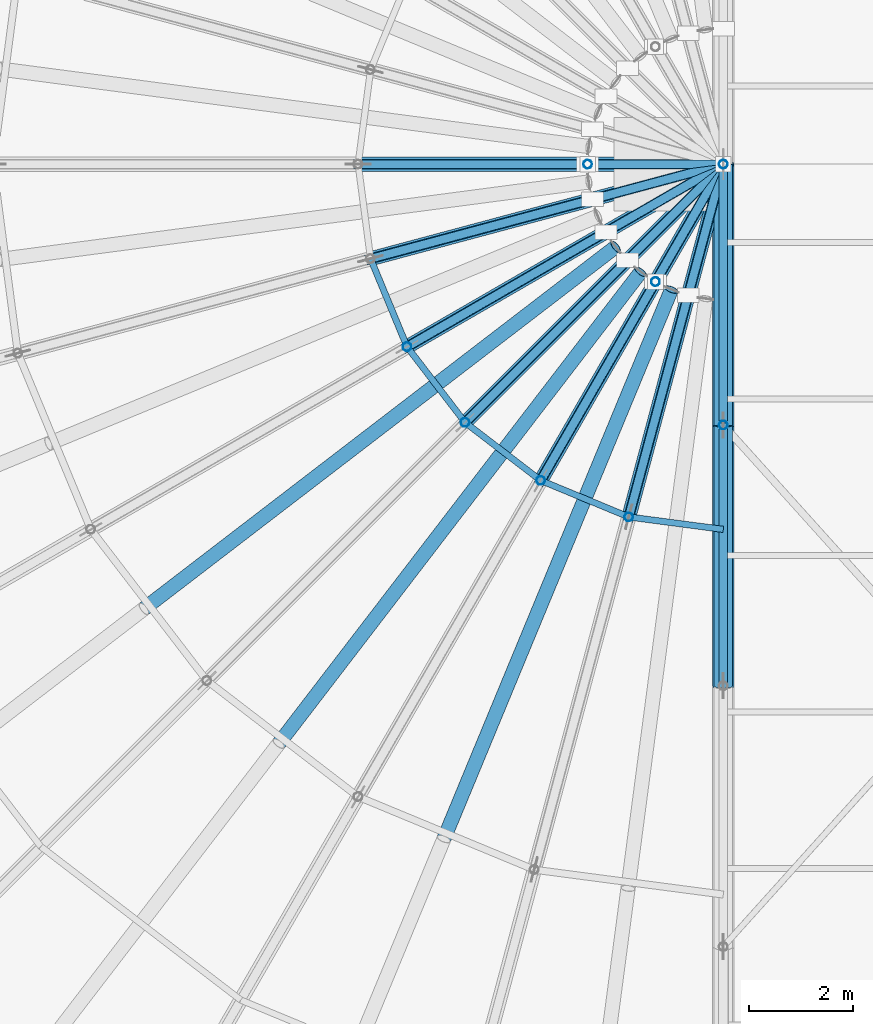
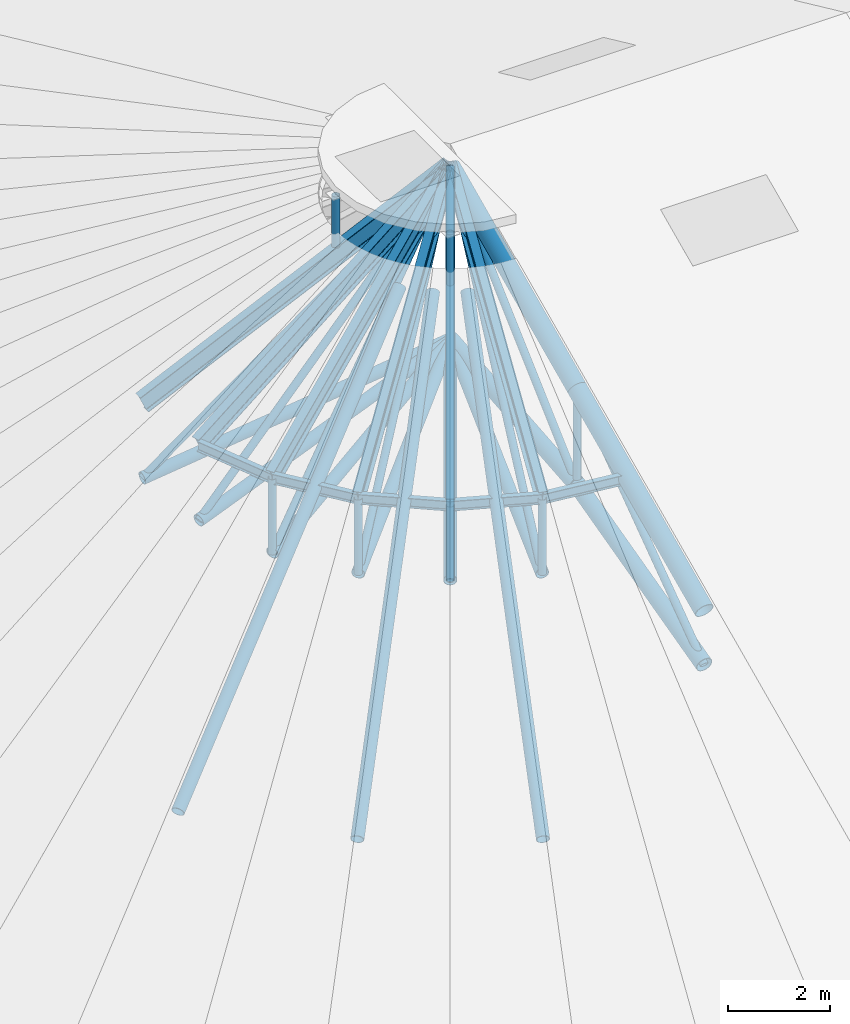
# One storey, part 7 of 107: 40 members.
"""IFC4 building model written with IfcOpenShell, lengths in metres."""

from ifc_helpers import new_model, si_unit, derived_unit, direction, frame, origin, origin_2d, place, context, subcontext, project, spatial, hollow_circle, i_section, extrude, material, material_profile, profile_set, type_object, element, save


model = new_model("IFC4")

# Units and contexts
model_context = context("Model", 3, precision=1e-05, world=origin(), true_north=direction((0.0, 1.0)))
body_context = subcontext(model_context, "Body", "Model", "MODEL_VIEW")
ifc_project = project(units=[si_unit("LENGTHUNIT", "METRE"), si_unit("AREAUNIT", "SQUARE_METRE"), si_unit("VOLUMEUNIT", "CUBIC_METRE"), si_unit("PLANEANGLEUNIT", "RADIAN"), si_unit("MASSUNIT", "GRAM", prefix="KILO"), si_unit("THERMODYNAMICTEMPERATUREUNIT", "KELVIN"), si_unit("TIMEUNIT", "SECOND"), derived_unit("THERMALTRANSMITTANCEUNIT", [(si_unit("MASSUNIT", "GRAM", prefix="KILO"), 1), (si_unit("THERMODYNAMICTEMPERATUREUNIT", "KELVIN"), -1), (si_unit("TIMEUNIT", "SECOND"), -3)])], contexts=[model_context])

# Site, building, storey
site_placement = place(None, origin())
site = spatial("IfcSite", under=ifc_project, at=site_placement, CompositionType="ELEMENT")
building_placement = place(site_placement, origin())
building = spatial("IfcBuilding", under=site, at=building_placement, Name="Cambertide Market Hall", CompositionType="ELEMENT")
storey_placement = place(building_placement, frame((0.0, 0.0, 18.300048828125)))
storey = spatial("IfcBuildingStorey", under=building, at=storey_placement, Name="RF", CompositionType="ELEMENT", Elevation=18.300048828125)

# Members
ifc_material_1 = material(Name="Steel S355", Category="steel")
ifc_material_profile_1 = material_profile(ifc_material_1, hollow_circle(Radius=0.136474609375, WallThickness=0.010009765625, at=origin_2d()), Name="CHS 273x10")
ifc_profile_set_1 = profile_set([ifc_material_profile_1], Name="Steel S355")
member_type_1 = type_object("IfcMemberType", Name="Arched Truss Chord CHS 273x10", PredefinedType="CHORD", material=ifc_profile_set_1)
member_1_placement = place(storey_placement, frame((42.0, 72.0, -4.5), z_axis=(-0.992162458928, 0.0, -0.124954612137), x_axis=(0.0, -1.0, 0.0)))
element("IfcMember", 1, at=member_1_placement, inside=storey, type_object=member_type_1, Name="Half-Cone Radial Arch Chord W-12-1", PredefinedType="CHORD", context=body_context, shape_type="SweptSolid", body=[
    extrude(hollow_circle(Radius=0.136474609375, WallThickness=0.010009765625, at=origin_2d()), origin(), (0.0, 0.0, 1.0), 7.05517578125),
])
for number, where, z_axis, x_axis, name in (
    (2, (42.0, 72.0, -4.5), (-0.958354076456, -0.256795291619, -0.124954561115), (0.258823832372, -0.965924543531, 0.0), "Half-Cone Radial Arch Chord W-14-1"),
    (3, (42.0, 72.0, -4.5), (-0.859240788635, -0.496076515077, -0.124953424661), (0.499995173006, -0.866028190633, 0.0), "Half-Cone Radial Arch Chord W-16-1"),
):
    element("IfcMember", number, at=place(storey_placement, frame(where, z_axis=z_axis, x_axis=x_axis)), inside=storey, type_object=member_type_1, Name=name, PredefinedType="CHORD", context=body_context, shape_type="SweptSolid", body=[
        extrude(hollow_circle(Radius=0.136474609375, WallThickness=0.010009765625, at=origin_2d()), origin(), (0.0, 0.0, 1.0), 7.055419921875),
    ])
member_2_placement = place(storey_placement, frame((42.0, 72.0, -4.5), z_axis=(-0.701564713257, -0.701564713257, -0.124955617025), x_axis=(0.707106781187, -0.707106781187, 0.0)))
element("IfcMember", 4, at=member_2_placement, inside=storey, type_object=member_type_1, Name="Half-Cone Radial Arch Chord W-18-1", PredefinedType="CHORD", context=body_context, shape_type="SweptSolid", body=[
    extrude(hollow_circle(Radius=0.136474609375, WallThickness=0.010009765625, at=origin_2d()), origin(), (0.0, 0.0, 1.0), 7.05517578125),
])
for number, where, z_axis, x_axis, name in (
    (5, (42.0, 72.0, -4.5), (-0.496076515077, -0.859240788635, -0.124953424661), (0.866028190633, -0.499995173006, 0.0), "Half-Cone Radial Arch Chord W-20-1"),
    (6, (42.0, 72.0, -4.5), (-0.256795291619, -0.958354076456, -0.124954561115), (0.965924543531, -0.258823832372, 0.0), "Half-Cone Radial Arch Chord W-22-1"),
):
    element("IfcMember", number, at=place(storey_placement, frame(where, z_axis=z_axis, x_axis=x_axis)), inside=storey, type_object=member_type_1, Name=name, PredefinedType="CHORD", context=body_context, shape_type="SweptSolid", body=[
        extrude(hollow_circle(Radius=0.136474609375, WallThickness=0.010009765625, at=origin_2d()), origin(), (0.0, 0.0, 1.0), 7.055419921875),
    ])
ifc_material_2 = material(Name="Steel S355", Category="steel")
ifc_material_profile_2 = material_profile(ifc_material_2, hollow_circle(Radius=0.177734375, WallThickness=0.012451171875, at=origin_2d()), Name="CHS 355.6x12.5")
ifc_profile_set_2 = profile_set([ifc_material_profile_2], Name="Steel S355")
member_type_2 = type_object("IfcMemberType", Name="Arched Truss Chord CHS 355.6x12.5", PredefinedType="CHORD", material=ifc_profile_set_2)
member_3_placement = place(storey_placement, frame((42.0, 62.0, -6.251220703125), z_axis=(0.0, 0.968015607618, 0.250889982678), x_axis=(-1.0, 0.0, 0.0)))
element("IfcMember", 7, at=member_3_placement, inside=storey, type_object=member_type_2, Name="Roof Truss 1 Arched Bottom Chord 3", PredefinedType="CHORD", context=body_context, shape_type="SweptSolid", body=[
    extrude(hollow_circle(Radius=0.177734375, WallThickness=0.012451171875, at=origin_2d()), origin(), (0.0, 0.0, 1.0), 5.165283203125),
])
member_4_placement = place(storey_placement, frame((42.0, 67.0, -4.955322265625), z_axis=(0.0, 0.9958792443, 0.090689198761), x_axis=(-1.0, 0.0, 0.0)))
element("IfcMember", 8, at=member_4_placement, inside=storey, type_object=member_type_2, Name="Roof Truss 1 Arched Bottom Chord 4", PredefinedType="CHORD", context=body_context, shape_type="SweptSolid", body=[
    extrude(hollow_circle(Radius=0.177734375, WallThickness=0.012451171875, at=origin_2d()), origin(), (0.0, 0.0, 1.0), 5.020751953125),
])
ifc_material_3 = material(Name="Steel S355", Category="steel")
ifc_material_profile_3 = material_profile(ifc_material_3, hollow_circle(Radius=0.203125, WallThickness=0.01416015625, at=origin_2d()), Name="CHS 406.4x14.2")
ifc_profile_set_3 = profile_set([ifc_material_profile_3], Name="Steel S355")
member_type_3 = type_object("IfcMemberType", Name="Arched Truss Chord CHS 406.4x14.2", PredefinedType="CHORD", material=ifc_profile_set_3)
for number, where, z_axis, x_axis, name in (
    (9, (42.0, 62.0, -4.949951171875), (0.0, 0.908503925861, 0.417876317461), (-1.0, 0.0, 0.0), "Roof Truss 1 Top Chord 3"),
    (10, (42.0, 67.0, -2.650146484375), (0.0, 0.908487084298, 0.417912930721), (-1.0, 0.0, 0.0), "Roof Truss 1 Top Chord 4"),
):
    element("IfcMember", number, at=place(storey_placement, frame(where, z_axis=z_axis, x_axis=x_axis)), inside=storey, type_object=member_type_3, Name=name, PredefinedType="CHORD", context=body_context, shape_type="SweptSolid", body=[
        extrude(hollow_circle(Radius=0.203125, WallThickness=0.01416015625, at=origin_2d()), origin(), (0.0, 0.0, 1.0), 5.503662109375),
    ])
ifc_material_4 = material(Name="Steel S355", Category="steel")
ifc_material_profile_4 = material_profile(ifc_material_4, hollow_circle(Radius=0.136474609375, WallThickness=0.010009765625, at=origin_2d()), Name="CHS 273x10")
ifc_profile_set_4 = profile_set([ifc_material_profile_4], Name="Steel S355")
member_type_4 = type_object("IfcMemberType", Name="Radial Fan Rafter CHS 273x10", PredefinedType="RAFTER", material=ifc_profile_set_4)
for number, where, z_axis, x_axis, name in (
    (11, (39.937255859375, 70.417236328125, -1.546142578125), (-0.720752999442, -0.553060460579, -0.417898601026), (0.608766439672, -0.793349495449, 0.0), "RAF-W-17-A"),
    (12, (40.417236328125, 69.937255859375, -1.546142578125), (-0.553060460579, -0.720752999442, -0.417898601026), (0.793349495449, -0.608766439672, 0.0), "RAF-W-19-A"),
    (13, (41.005126953125, 69.597900390625, -1.546142578125), (-0.347679586527, -0.839333931883, -0.417896465529), (0.923873271292, -0.382698547937, 0.0), "RAF-W-21-A"),
):
    element("IfcMember", number, at=place(storey_placement, frame(where, z_axis=z_axis, x_axis=x_axis)), inside=storey, type_object=member_type_4, Name=name, PredefinedType="RAFTER", context=body_context, shape_type="SweptSolid", body=[
        extrude(hollow_circle(Radius=0.136474609375, WallThickness=0.010009765625, at=origin_2d()), origin(), (0.0, 0.0, 1.0), 12.54833984375),
    ])
ifc_material_5 = material(Name="Steel S355", Category="steel")
ifc_material_profile_5 = material_profile(ifc_material_5, i_section(OverallWidth=0.18994140625, OverallDepth=0.449951171875, WebThickness=0.009521484375, FlangeThickness=0.0146484375, FilletRadius=0.02099609375, at=origin_2d()), Name="IPE 450")
ifc_profile_set_5 = profile_set([ifc_material_profile_5], Name="Steel S355")
member_type_5 = type_object("IfcMemberType", Name="Radial Fan Rafter IPE 450", PredefinedType="RAFTER", material=ifc_profile_set_5)
for number, where, z_axis, x_axis, name in (
    (14, (42.0, 72.0, -0.35009765625), (-0.90849189626, 0.0, -0.417902469998), (0.0, -1.0, 0.0), "Half-Cone Radial Truss Rafter W-12-1"),
    (15, (42.0, 72.0, -0.35009765625), (-0.877534683767, -0.235139371303, -0.417902326925), (0.258823832372, -0.965924543531, 0.0), "Half-Cone Radial Truss Rafter W-14-1"),
    (16, (42.0, 72.0, -0.35009765625), (-0.786780919627, -0.454242328693, -0.417899140146), (0.499995173006, -0.866028190633, 0.0), "Half-Cone Radial Truss Rafter W-16-1"),
    (17, (42.0, 72.0, -0.35009765625), (-0.642399863947, -0.642399863947, -0.417905287837), (0.707106781187, -0.707106781187, 0.0), "Half-Cone Radial Truss Rafter W-18-1"),
    (18, (42.0, 72.0, -0.35009765625), (-0.454242328693, -0.786780919627, -0.417899140146), (0.866028190633, -0.499995173006, 0.0), "Half-Cone Radial Truss Rafter W-20-1"),
    (19, (42.0, 72.0, -0.35009765625), (-0.235139371303, -0.877534683767, -0.417902326925), (0.965924543531, -0.258823832372, 0.0), "Half-Cone Radial Truss Rafter W-22-1"),
):
    element("IfcMember", number, at=place(storey_placement, frame(where, z_axis=z_axis, x_axis=x_axis)), inside=storey, type_object=member_type_5, Name=name, PredefinedType="RAFTER", context=body_context, shape_type="SweptSolid", body=[
        extrude(i_section(OverallWidth=0.18994140625, OverallDepth=0.449951171875, WebThickness=0.009521484375, FlangeThickness=0.0146484375, FilletRadius=0.02099609375, at=origin_2d()), origin(), (0.0, 0.0, 1.0), 7.705078125),
    ])
ifc_material_6 = material(Name="Steel S275", Category="steel")
ifc_material_profile_6 = material_profile(ifc_material_6, i_section(OverallWidth=0.1201171875, OverallDepth=0.239990234375, WebThickness=0.006103515625, FlangeThickness=0.009765625, FilletRadius=0.014892578125, at=origin_2d()), Name="IPE 240")
ifc_profile_set_6 = profile_set([ifc_material_profile_6], Name="Steel S275")
member_type_6 = type_object("IfcMemberType", Name="Roof Purlin IPE 240", PredefinedType="PURLIN", material=ifc_profile_set_6)
for number, where, z_axis, x_axis, name in (
    (20, (35.238525390625, 70.188232421875, -3.570068359375), (0.382650727073, -0.923893078809, 0.0), (0.923893078809, 0.382650727073, 0.0), "CPUR-W-70-08"),
    (21, (35.937744140625, 68.5, -3.570068359375), (0.608812919113, -0.79331382789, 0.0), (0.79331382789, 0.608812919113, 0.0), "CPUR-W-70-09"),
    (22, (37.05029296875, 67.05029296875, -3.570068359375), (0.79331382789, -0.608812919113, 0.0), (0.608812919113, 0.79331382789, 0.0), "CPUR-W-70-10"),
    (23, (38.5, 65.937744140625, -3.570068359375), (0.923893078809, -0.382650727073, 0.0), (0.382650727073, 0.923893078809, 0.0), "CPUR-W-70-11"),
    (24, (40.188232421875, 65.238525390625, -3.570068359375), (0.991444743541, -0.130527087244, 0.0), (0.130527087244, 0.991444743541, 0.0), "CPUR-W-70-12"),
):
    element("IfcMember", number, at=place(storey_placement, frame(where, z_axis=z_axis, x_axis=x_axis)), inside=storey, type_object=member_type_6, Name=name, PredefinedType="PURLIN", context=body_context, shape_type="SweptSolid", body=[
        extrude(i_section(OverallWidth=0.1201171875, OverallDepth=0.239990234375, WebThickness=0.006103515625, FlangeThickness=0.009765625, FilletRadius=0.014892578125, at=origin_2d()), origin(), (0.0, 0.0, 1.0), 1.827392578125),
    ])
ifc_material_7 = material(Name="Steel S355", Category="steel")
ifc_material_profile_7 = material_profile(ifc_material_7, hollow_circle(Radius=0.084228515625, WallThickness=0.00634765625, at=origin_2d()), Name="CHS 168.3x6.3")
ifc_profile_set_7 = profile_set([ifc_material_profile_7], Name="Steel S355")
member_type_7 = type_object("IfcMemberType", Name="Structural Brace CHS 168.3x6.3", PredefinedType="BRACE", material=ifc_profile_set_7)
member_5_placement = place(storey_placement, frame((42.0, 62.0, -6.251220703125), z_axis=(0.0, 0.811451666424, 0.584419535144), x_axis=(-1.0, 0.0, 0.0)))
element("IfcMember", 25, at=member_5_placement, inside=storey, type_object=member_type_7, Name="Roof Truss 1 Web Diagonal 3", PredefinedType="BRACE", context=body_context, shape_type="SweptSolid", body=[
    extrude(hollow_circle(Radius=0.084228515625, WallThickness=0.00634765625, at=origin_2d()), origin(), (0.0, 0.0, 1.0), 6.161865234375),
])
member_6_placement = place(storey_placement, frame((42.0, 67.0, -4.955322265625), z_axis=(0.0, 0.73554793102, 0.677472686662), x_axis=(-1.0, 0.0, 0.0)))
element("IfcMember", 26, at=member_6_placement, inside=storey, type_object=member_type_7, Name="Roof Truss 1 Web Diagonal 4", PredefinedType="BRACE", context=body_context, shape_type="SweptSolid", body=[
    extrude(hollow_circle(Radius=0.084228515625, WallThickness=0.00634765625, at=origin_2d()), origin(), (0.0, 0.0, 1.0), 6.797607421875),
])
member_7_placement = place(storey_placement, frame((42.0, 67.0, -4.955322265625), z_axis=(0.0, 0.0, 1.0), x_axis=(1.0, 0.0, 0.0)))
element("IfcMember", 27, at=member_7_placement, inside=storey, type_object=member_type_7, Name="Roof Truss 1 Web Post 4", PredefinedType="BRACE", context=body_context, shape_type="SweptSolid", body=[
    extrude(hollow_circle(Radius=0.084228515625, WallThickness=0.00634765625, at=origin_2d()), origin(), (0.0, 0.0, 1.0), 2.30517578125),
])
member_8_placement = place(storey_placement, frame((42.0, 72.0, -4.5), z_axis=(0.0, 0.0, 1.0), x_axis=(1.0, 0.0, 0.0)))
element("IfcMember", 28, at=member_8_placement, inside=storey, type_object=member_type_7, Name="Roof Truss 1 Web Post 5", PredefinedType="BRACE", context=body_context, shape_type="SweptSolid", body=[
    extrude(hollow_circle(Radius=0.084228515625, WallThickness=0.00634765625, at=origin_2d()), origin(), (0.0, 0.0, 1.0), 4.14990234375),
])
for number, where, z_axis, x_axis, name in (
    (29, (35.0, 72.0, -5.381591796875), (0.812001949492, 0.0, 0.583654721578), (0.0, 1.0, 0.0), "RWB-W-12-D1"),
    (30, (35.238525390625, 70.188232421875, -5.381591796875), (0.784332723238, 0.210165486158, 0.58365456195), (-0.258823832372, 0.965924543531, 0.0), "RWB-W-14-D1"),
    (31, (35.937744140625, 68.5, -5.381591796875), (0.703218891749, 0.405998390403, 0.583651006405), (-0.499995173006, 0.866028190633, 0.0), "RWB-W-16-D1"),
):
    element("IfcMember", number, at=place(storey_placement, frame(where, z_axis=z_axis, x_axis=x_axis)), inside=storey, type_object=member_type_7, Name=name, PredefinedType="BRACE", context=body_context, shape_type="SweptSolid", body=[
        extrude(hollow_circle(Radius=0.084228515625, WallThickness=0.00634765625, at=origin_2d()), origin(), (0.0, 0.0, 1.0), 8.62060546875),
    ])
member_9_placement = place(storey_placement, frame((35.937744140625, 68.5, -5.381591796875), z_axis=(0.0, 0.0, 1.0), x_axis=(1.0, 0.0, 0.0)))
element("IfcMember", 32, at=member_9_placement, inside=storey, type_object=member_type_7, Name="RWV-W-16-V1", PredefinedType="BRACE", context=body_context, shape_type="SweptSolid", body=[
    extrude(hollow_circle(Radius=0.084228515625, WallThickness=0.00634765625, at=origin_2d()), origin(), (0.0, 0.0, 1.0), 1.8115234375),
])
member_10_placement = place(storey_placement, frame((37.05029296875, 67.05029296875, -5.381591796875), z_axis=(0.574170486906, 0.574170486906, 0.583657865476), x_axis=(-0.707106781187, 0.707106781187, 0.0)))
element("IfcMember", 33, at=member_10_placement, inside=storey, type_object=member_type_7, Name="RWB-W-18-D1", PredefinedType="BRACE", context=body_context, shape_type="SweptSolid", body=[
    extrude(hollow_circle(Radius=0.084228515625, WallThickness=0.00634765625, at=origin_2d()), origin(), (0.0, 0.0, 1.0), 8.62060546875),
])
member_11_placement = place(storey_placement, frame((37.05029296875, 67.05029296875, -5.381591796875), z_axis=(0.0, 0.0, 1.0), x_axis=(1.0, 0.0, 0.0)))
element("IfcMember", 34, at=member_11_placement, inside=storey, type_object=member_type_7, Name="RWV-W-18-V1", PredefinedType="BRACE", context=body_context, shape_type="SweptSolid", body=[
    extrude(hollow_circle(Radius=0.084228515625, WallThickness=0.00634765625, at=origin_2d()), origin(), (0.0, 0.0, 1.0), 1.8115234375),
])
member_12_placement = place(storey_placement, frame((38.5, 65.937744140625, -5.381591796875), z_axis=(0.405998390403, 0.703218891749, 0.583651006405), x_axis=(-0.866028190633, 0.499995173006, 0.0)))
element("IfcMember", 35, at=member_12_placement, inside=storey, type_object=member_type_7, Name="RWB-W-20-D1", PredefinedType="BRACE", context=body_context, shape_type="SweptSolid", body=[
    extrude(hollow_circle(Radius=0.084228515625, WallThickness=0.00634765625, at=origin_2d()), origin(), (0.0, 0.0, 1.0), 8.62060546875),
])
member_13_placement = place(storey_placement, frame((38.5, 65.937744140625, -5.381591796875), z_axis=(0.0, 0.0, 1.0), x_axis=(1.0, 0.0, 0.0)))
element("IfcMember", 36, at=member_13_placement, inside=storey, type_object=member_type_7, Name="RWV-W-20-V1", PredefinedType="BRACE", context=body_context, shape_type="SweptSolid", body=[
    extrude(hollow_circle(Radius=0.084228515625, WallThickness=0.00634765625, at=origin_2d()), origin(), (0.0, 0.0, 1.0), 1.8115234375),
])
member_14_placement = place(storey_placement, frame((40.188232421875, 65.238525390625, -5.381591796875), z_axis=(0.210165486158, 0.784332723238, 0.58365456195), x_axis=(-0.965924543531, 0.258823832372, 0.0)))
element("IfcMember", 37, at=member_14_placement, inside=storey, type_object=member_type_7, Name="RWB-W-22-D1", PredefinedType="BRACE", context=body_context, shape_type="SweptSolid", body=[
    extrude(hollow_circle(Radius=0.084228515625, WallThickness=0.00634765625, at=origin_2d()), origin(), (0.0, 0.0, 1.0), 8.62060546875),
])
member_15_placement = place(storey_placement, frame((40.188232421875, 65.238525390625, -5.381591796875), z_axis=(0.0, 0.0, 1.0), x_axis=(1.0, 0.0, 0.0)))
element("IfcMember", 38, at=member_15_placement, inside=storey, type_object=member_type_7, Name="RWV-W-22-V1", PredefinedType="BRACE", context=body_context, shape_type="SweptSolid", body=[
    extrude(hollow_circle(Radius=0.084228515625, WallThickness=0.00634765625, at=origin_2d()), origin(), (0.0, 0.0, 1.0), 1.8115234375),
])
for number, where, z_axis, x_axis, name in (
    (39, (39.39990234375, 72.0, -1.345947265625), (0.0, 0.0, 1.0), (1.0, 0.0, 0.0), "Oculus Lantern Curb Post W-2"),
    (40, (40.699951171875, 69.748291015625, -1.345947265625), (0.0, 0.0, 1.0), (1.0, 0.0, 0.0), "Oculus Lantern Curb Post W-3"),
):
    element("IfcMember", number, at=place(storey_placement, frame(where, z_axis=z_axis, x_axis=x_axis)), inside=storey, type_object=member_type_7, Name=name, PredefinedType="BRACE", context=body_context, shape_type="SweptSolid", body=[
        extrude(hollow_circle(Radius=0.084228515625, WallThickness=0.00634765625, at=origin_2d()), origin(), (0.0, 0.0, 1.0), 1.23583984375),
    ])

save(model, "model.ifc")
